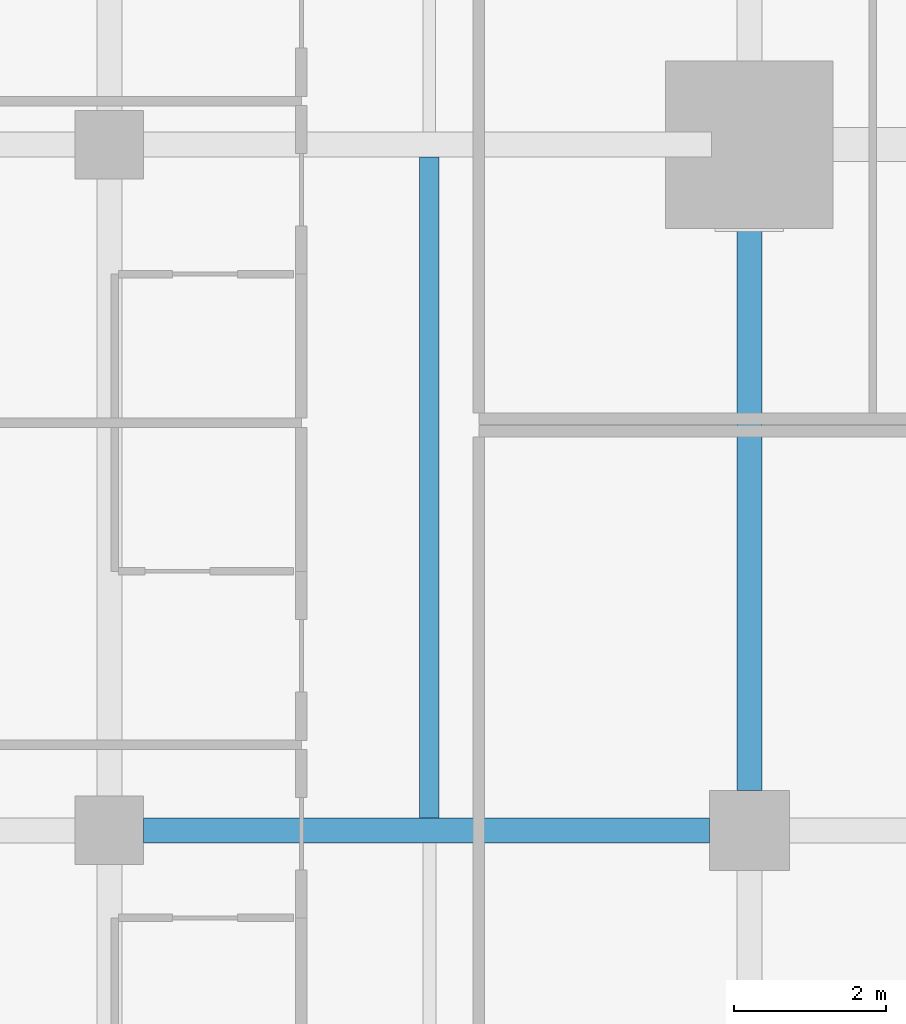
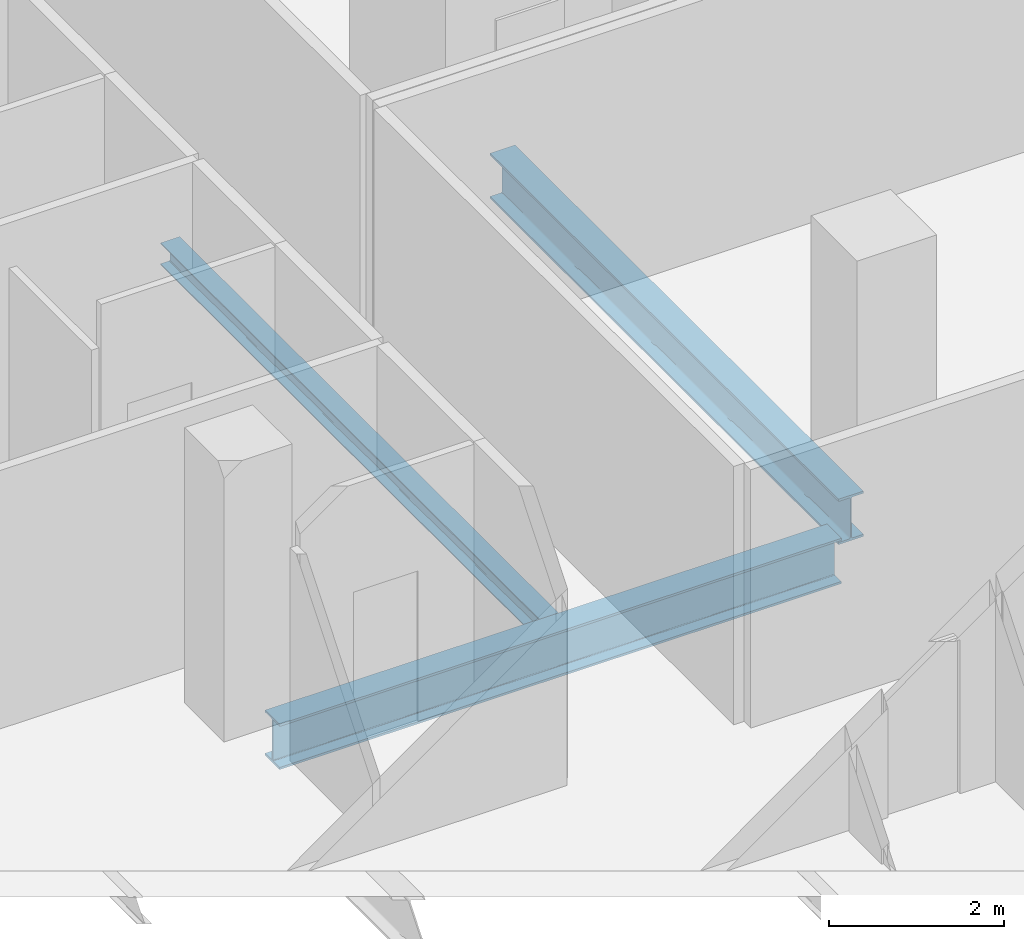
# One storey, part 11 of 40: 3 beams.
"""IFC4 building model written with IfcOpenShell, lengths in metres."""

from ifc_helpers import new_model, si_unit, direction, frame, origin, origin_2d, place, context, subcontext, project, spatial, i_section, extrude, material, material_profile, profile_set, type_object, element, save


model = new_model("IFC4")

# Units and contexts
model_context = context("Model", 3, precision=1e-05, world=origin(), true_north=direction((0.0, 1.0)))
body_context = subcontext(model_context, "Body", "Model", "MODEL_VIEW")
ifc_project = project(units=[si_unit("LENGTHUNIT", "METRE"), si_unit("AREAUNIT", "SQUARE_METRE"), si_unit("VOLUMEUNIT", "CUBIC_METRE"), si_unit("PLANEANGLEUNIT", "RADIAN"), si_unit("MASSUNIT", "GRAM", prefix="KILO")], contexts=[model_context])

# Site, building, storey
site_placement = place(None, origin())
site = spatial("IfcSite", under=ifc_project, at=site_placement, CompositionType="ELEMENT")
building_placement = place(site_placement, origin())
building = spatial("IfcBuilding", under=site, at=building_placement, Name="Maruvema Waterfront Hotel and Observation Tower", CompositionType="ELEMENT")
storey_placement = place(building_placement, frame((0.0, 0.0, 30.800048828125)))
storey = spatial("IfcBuildingStorey", under=building, at=storey_placement, Name="L06", CompositionType="ELEMENT", Elevation=30.800048828125)

# Beams
ifc_material_1 = material(Name="Steel ASTM A572 Grade 50", Category="steel")
ifc_material_profile_1 = material_profile(ifc_material_1, i_section(OverallWidth=0.3291015625, OverallDepth=0.635009765625, WebThickness=0.017822265625, FlangeThickness=0.031005859375, FilletRadius=0.01806640625, at=origin_2d()), Name="W610x241.0")
ifc_profile_set_1 = profile_set([ifc_material_profile_1], Name="Steel ASTM A572 Grade 50")
beam_type_1 = type_object("IfcBeamType", Name="Primary Floor Girder W610x241.0", PredefinedType="BEAM", material=ifc_profile_set_1)
beam_1_placement = place(storey_placement, frame((17.25, 18.0, -0.5576171875), z_axis=(1.0, 0.0, 0.0), x_axis=(0.0, 1.0, 0.0)))
element("IfcBeam", 1, at=beam_1_placement, inside=storey, type_object=beam_type_1, Name="L06 Floor Girder EW-14", PredefinedType="BEAM", context=body_context, shape_type="SweptSolid", body=[
    extrude(i_section(OverallWidth=0.3291015625, OverallDepth=0.635009765625, WebThickness=0.017822265625, FlangeThickness=0.031005859375, FilletRadius=0.01806640625, at=origin_2d()), origin(), (0.0, 0.0, 1.0), 7.425048828125),
])
beam_2_placement = place(storey_placement, frame((25.199951171875, 18.52490234375, -0.5576171875), z_axis=(0.0, 1.0, 0.0), x_axis=(-1.0, 0.0, 0.0)))
element("IfcBeam", 2, at=beam_2_placement, inside=storey, type_object=beam_type_1, Name="L06 Floor Girder NS-13", PredefinedType="BEAM", context=body_context, shape_type="SweptSolid", body=[
    extrude(i_section(OverallWidth=0.3291015625, OverallDepth=0.635009765625, WebThickness=0.017822265625, FlangeThickness=0.031005859375, FilletRadius=0.01806640625, at=origin_2d()), origin(), (0.0, 0.0, 1.0), 7.97509765625),
])
ifc_material_2 = material(Name="Steel ASTM A572 Grade 50", Category="steel")
ifc_material_profile_2 = material_profile(ifc_material_2, i_section(OverallWidth=0.25390625, OverallDepth=0.305908203125, WebThickness=0.0087890625, FlangeThickness=0.0146484375, FilletRadius=0.014892578125, at=origin_2d()), Name="W310x79.0")
ifc_profile_set_2 = profile_set([ifc_material_profile_2], Name="Steel ASTM A572 Grade 50")
beam_type_2 = type_object("IfcBeamType", Name="Secondary Floor Joist W310x79.0", PredefinedType="JOIST", material=ifc_profile_set_2)
beam_3_placement = place(storey_placement, frame((21.0, 18.16455078125, -0.39306640625), z_axis=(0.0, 1.0, 0.0), x_axis=(-1.0, 0.0, 0.0)))
element("IfcBeam", 3, at=beam_3_placement, inside=storey, type_object=beam_type_2, Name="L06 Secondary Floor Joist JS-07", PredefinedType="JOIST", context=body_context, shape_type="SweptSolid", body=[
    extrude(i_section(OverallWidth=0.25390625, OverallDepth=0.305908203125, WebThickness=0.0087890625, FlangeThickness=0.0146484375, FilletRadius=0.014892578125, at=origin_2d()), origin(), (0.0, 0.0, 1.0), 8.6708984375),
])

save(model, "model.ifc")
